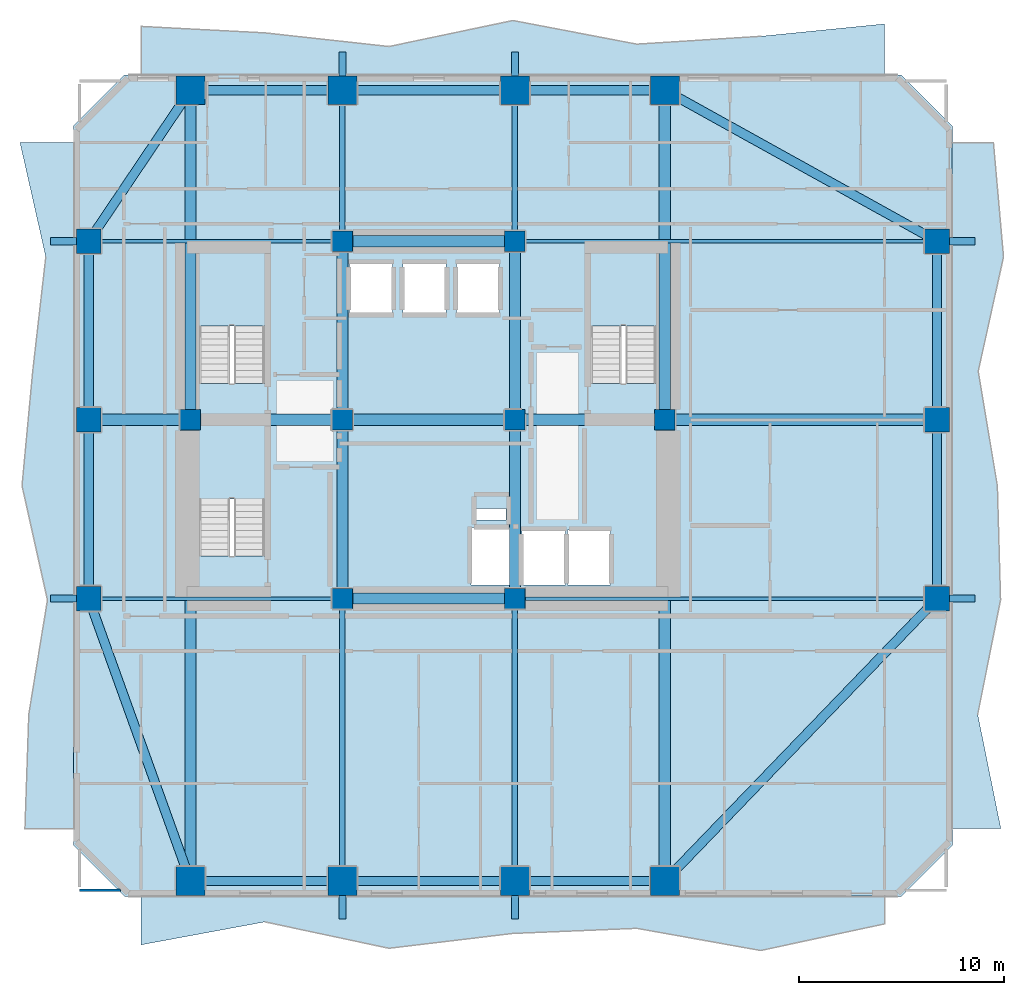
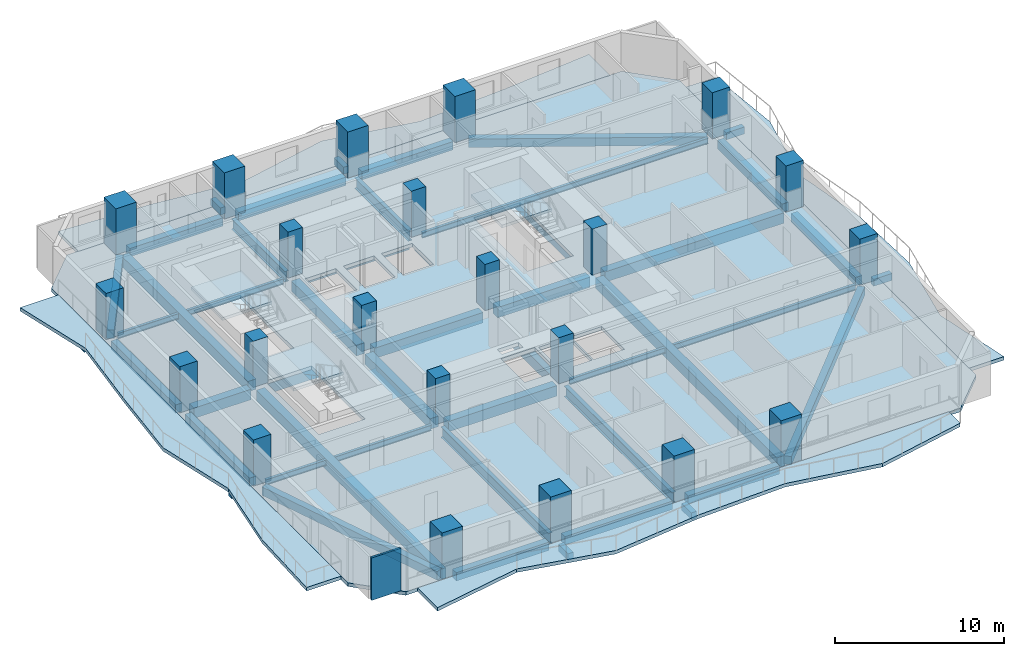
# One storey, part 1 of 10: 45 beams, 22 columns, 8 slabs, 1 wall, 3 elements without a shape of their own.
"""IFC4 building model written with IfcOpenShell, lengths in metres."""

from ifc_helpers import new_model, si_unit, direction, frame, frame_2d, origin, origin_2d, place, context, subcontext, project, spatial, polyline, rectangle, i_section, outline, extrude, material, layer, layer_set, material_profile, profile_set, type_object, element, aggregate, save


model = new_model("IFC4")

# Units and contexts
model_context = context("Model", 3, precision=1e-05, world=origin(), true_north=direction((0.0, 1.0)))
body_context = subcontext(model_context, "Body", "Model", "MODEL_VIEW")
ifc_project = project(units=[si_unit("LENGTHUNIT", "METRE"), si_unit("AREAUNIT", "SQUARE_METRE"), si_unit("VOLUMEUNIT", "CUBIC_METRE"), si_unit("PLANEANGLEUNIT", "RADIAN"), si_unit("MASSUNIT", "GRAM", prefix="KILO")], contexts=[model_context])

# Site, building, storey
site_placement = place(None, origin())
site = spatial("IfcSite", under=ifc_project, at=site_placement, CompositionType="ELEMENT")
building_placement = place(site_placement, origin())
building = spatial("IfcBuilding", under=site, at=building_placement, Name="Solanera Arch Residences", CompositionType="ELEMENT")
storey_placement = place(building_placement, frame((0.0, 0.0, 45.239990234375)))
storey = spatial("IfcBuildingStorey", under=building, at=storey_placement, Name="L12", CompositionType="ELEMENT", Elevation=45.239990234375)

# Columns
ifc_material_1 = material(Name="Concrete C55/67 (f'c = 60 MPa)", Category="concrete")
ifc_material_profile_1 = material_profile(ifc_material_1, rectangle(XDim=1.0, YDim=1.0, at=origin_2d()))
ifc_profile_set_1 = profile_set([ifc_material_profile_1], Name="Concrete C55/67 (f'c = 60 MPa)")
column_type_1 = type_object("IfcColumnType", Name="Structural Column RC-COL-1000X1000", PredefinedType="COLUMN", material=ifc_profile_set_1)
for number, where, z_axis, x_axis, name in (
    (1, (20.800048828125, 22.0, 0.0), (0.0, 0.0, 1.0), (1.0, 0.0, 0.0), "COL-L12-CB-SW"),
    (2, (29.199951171875, 22.0, 0.0), (0.0, 0.0, 1.0), (1.0, 0.0, 0.0), "COL-L12-CB-SE"),
    (3, (20.800048828125, 39.39990234375, 0.0), (0.0, 0.0, 1.0), (1.0, 0.0, 0.0), "COL-L12-CB-NW"),
    (4, (29.199951171875, 39.39990234375, 0.0), (0.0, 0.0, 1.0), (1.0, 0.0, 0.0), "COL-L12-CB-NE"),
    (5, (13.39990234375, 30.699951171875, 0.0), (0.0, 0.0, 1.0), (1.0, 0.0, 0.0), "COL-L12-CB-WW"),
    (6, (36.5, 30.699951171875, 0.0), (0.0, 0.0, 1.0), (1.0, 0.0, 0.0), "COL-L12-CB-EE"),
    (7, (20.800048828125, 30.699951171875, 0.0), (0.0, 0.0, 1.0), (1.0, 0.0, 0.0), "COL-L12-CORE-W"),
    (8, (29.199951171875, 30.699951171875, 0.0), (0.0, 0.0, 1.0), (1.0, 0.0, 0.0), "COL-L12-CORE-E"),
):
    element("IfcColumn", number, at=place(storey_placement, frame(where, z_axis=z_axis, x_axis=x_axis)), inside=storey, type_object=column_type_1, Name=name, PredefinedType="COLUMN", context=body_context, shape_type="SweptSolid", body=[
        extrude(rectangle(XDim=1.0, YDim=1.0, at=origin_2d()), origin(), (0.0, 0.0, 1.0), 3.320068359375),
    ])
ifc_material_2 = material(Name="Concrete C55/67 (f'c = 60 MPa)", Category="concrete")
ifc_material_profile_2 = material_profile(ifc_material_2, rectangle(XDim=1.199951171875, YDim=1.199951171875, at=origin_2d()))
ifc_profile_set_2 = profile_set([ifc_material_profile_2], Name="Concrete C55/67 (f'c = 60 MPa)")
column_type_2 = type_object("IfcColumnType", Name="Structural Column RC-COL-1200X1200", PredefinedType="COLUMN", material=ifc_profile_set_2)
for number, where, z_axis, x_axis, name in (
    (9, (8.449951171875, 22.0, 0.0), (0.0, 0.0, 1.0), (1.0, 0.0, 0.0), "COL-L12-TWR-09"),
    (10, (49.75, 22.0, 0.0), (0.0, 0.0, 1.0), (1.0, 0.0, 0.0), "COL-L12-TWR-10"),
    (11, (8.449951171875, 30.699951171875, 0.0), (0.0, 0.0, 1.0), (1.0, 0.0, 0.0), "COL-L12-TWR-11"),
    (12, (49.75, 30.699951171875, 0.0), (0.0, 0.0, 1.0), (1.0, 0.0, 0.0), "COL-L12-TWR-12"),
    (13, (8.449951171875, 39.39990234375, 0.0), (0.0, 0.0, 1.0), (1.0, 0.0, 0.0), "COL-L12-TWR-13"),
    (14, (49.75, 39.39990234375, 0.0), (0.0, 0.0, 1.0), (1.0, 0.0, 0.0), "COL-L12-TWR-14"),
):
    element("IfcColumn", number, at=place(storey_placement, frame(where, z_axis=z_axis, x_axis=x_axis)), inside=storey, type_object=column_type_2, Name=name, PredefinedType="COLUMN", context=body_context, shape_type="SweptSolid", body=[
        extrude(rectangle(XDim=1.199951171875, YDim=1.199951171875, at=origin_2d()), origin(), (0.0, 0.0, 1.0), 3.320068359375),
    ])
ifc_material_3 = material(Name="Concrete C55/67 (f'c = 60 MPa)", Category="concrete")
ifc_material_profile_3 = material_profile(ifc_material_3, rectangle(XDim=1.39990234375, YDim=1.39990234375, at=origin_2d()))
ifc_profile_set_3 = profile_set([ifc_material_profile_3], Name="Concrete C55/67 (f'c = 60 MPa)")
column_type_3 = type_object("IfcColumnType", Name="Structural Column RC-COL-1400X1400", PredefinedType="COLUMN", material=ifc_profile_set_3)
for number, where, z_axis, x_axis, name in (
    (15, (13.39990234375, 8.25, 0.0), (0.0, 0.0, 1.0), (1.0, 0.0, 0.0), "COL-L12-TWR-01"),
    (16, (13.39990234375, 46.75, 0.0), (0.0, 0.0, 1.0), (1.0, 0.0, 0.0), "COL-L12-TWR-02"),
    (17, (20.800048828125, 8.25, 0.0), (0.0, 0.0, 1.0), (1.0, 0.0, 0.0), "COL-L12-TWR-03"),
    (18, (20.800048828125, 46.75, 0.0), (0.0, 0.0, 1.0), (1.0, 0.0, 0.0), "COL-L12-TWR-04"),
    (19, (29.199951171875, 8.25, 0.0), (0.0, 0.0, 1.0), (1.0, 0.0, 0.0), "COL-L12-TWR-05"),
    (20, (29.199951171875, 46.75, 0.0), (0.0, 0.0, 1.0), (1.0, 0.0, 0.0), "COL-L12-TWR-06"),
    (21, (36.5, 8.25, 0.0), (0.0, 0.0, 1.0), (1.0, 0.0, 0.0), "COL-L12-TWR-07"),
    (22, (36.5, 46.75, 0.0), (0.0, 0.0, 1.0), (1.0, 0.0, 0.0), "COL-L12-TWR-08"),
):
    element("IfcColumn", number, at=place(storey_placement, frame(where, z_axis=z_axis, x_axis=x_axis)), inside=storey, type_object=column_type_3, Name=name, PredefinedType="COLUMN", context=body_context, shape_type="SweptSolid", body=[
        extrude(rectangle(XDim=1.39990234375, YDim=1.39990234375, at=origin_2d()), origin(), (0.0, 0.0, 1.0), 3.320068359375),
    ])

# Beams
ifc_material_4 = material(Name="Concrete C40/50 (f'c = 45 MPa)", Category="concrete")
ifc_material_profile_4 = material_profile(ifc_material_4, rectangle(XDim=0.35009765625, YDim=0.5, at=origin_2d()))
ifc_profile_set_4 = profile_set([ifc_material_profile_4], Name="Concrete C40/50 (f'c = 45 MPa)")
beam_type_1 = type_object("IfcBeamType", Name="BM-BALC-RIB", PredefinedType="BEAM", material=ifc_profile_set_4)
for number, where, z_axis, x_axis, name in (
    (23, (20.800048828125, 6.39990234375, -0.5), (0.0, 1.0, 0.0), (-1.0, 0.0, 0.0), "BM-L12-BRIB-S1"),
    (24, (29.199951171875, 6.39990234375, -0.5), (0.0, 1.0, 0.0), (-1.0, 0.0, 0.0), "BM-L12-BRIB-S2"),
    (25, (20.800048828125, 47.449951171875, -0.5), (0.0, 1.0, 0.0), (-1.0, 0.0, 0.0), "BM-L12-BRIB-N1"),
    (26, (29.199951171875, 47.449951171875, -0.5), (0.0, 1.0, 0.0), (-1.0, 0.0, 0.0), "BM-L12-BRIB-N2"),
):
    element("IfcBeam", number, at=place(storey_placement, frame(where, z_axis=z_axis, x_axis=x_axis)), inside=storey, type_object=beam_type_1, Name=name, PredefinedType="BEAM", context=body_context, shape_type="SweptSolid", body=[
        extrude(rectangle(XDim=0.35009765625, YDim=0.5, at=origin_2d()), origin(), (0.0, 0.0, 1.0), 1.150146484375),
    ])
for number, where, z_axis, x_axis, name in (
    (27, (50.35009765625, 22.0, -0.5), (1.0, 0.0, 0.0), (0.0, 1.0, 0.0), "BM-L12-BRIB-E1"),
    (28, (50.35009765625, 39.39990234375, -0.5), (1.0, 0.0, 0.0), (0.0, 1.0, 0.0), "BM-L12-BRIB-E2"),
    (29, (6.60009765625, 22.0, -0.5), (1.0, 0.0, 0.0), (0.0, 1.0, 0.0), "BM-L12-BRIB-W1"),
    (30, (6.60009765625, 39.39990234375, -0.5), (1.0, 0.0, 0.0), (0.0, 1.0, 0.0), "BM-L12-BRIB-W2"),
):
    element("IfcBeam", number, at=place(storey_placement, frame(where, z_axis=z_axis, x_axis=x_axis)), inside=storey, type_object=beam_type_1, Name=name, PredefinedType="BEAM", context=body_context, shape_type="SweptSolid", body=[
        extrude(rectangle(XDim=0.35009765625, YDim=0.5, at=origin_2d()), origin(), (0.0, 0.0, 1.0), 1.25),
    ])
ifc_material_5 = material(Name="Concrete C40/50 (f'c = 45 MPa)", Category="concrete")
ifc_material_profile_5 = material_profile(ifc_material_5, rectangle(XDim=0.550048828125, YDim=0.75, at=origin_2d()))
ifc_profile_set_5 = profile_set([ifc_material_profile_5], Name="Concrete C40/50 (f'c = 45 MPa)")
beam_type_2 = type_object("IfcBeamType", Name="Primary Beam RC-BM-550X750", PredefinedType="BEAM", material=ifc_profile_set_5)
beam_1_placement = place(storey_placement, frame((20.800048828125, 22.50390625, -0.635009765625), z_axis=(0.0, 1.0, 0.0), x_axis=(-1.0, 0.0, 0.0)))
element("IfcBeam", 31, at=beam_1_placement, inside=storey, type_object=beam_type_2, Name="BM-L12-CC-S-208", PredefinedType="BEAM", context=body_context, shape_type="SweptSolid", body=[
    extrude(rectangle(XDim=0.550048828125, YDim=0.75, at=origin_2d()), origin(), (0.0, 0.0, 1.0), 7.692138671875),
])
beam_2_placement = place(storey_placement, frame((20.800048828125, 31.2041015625, -0.635009765625), z_axis=(0.0, 1.0, 0.0), x_axis=(-1.0, 0.0, 0.0)))
element("IfcBeam", 32, at=beam_2_placement, inside=storey, type_object=beam_type_2, Name="BM-L12-CC-N-208", PredefinedType="BEAM", context=body_context, shape_type="SweptSolid", body=[
    extrude(rectangle(XDim=0.550048828125, YDim=0.75, at=origin_2d()), origin(), (0.0, 0.0, 1.0), 7.69189453125),
])
beam_3_placement = place(storey_placement, frame((29.199951171875, 22.50390625, -0.635009765625), z_axis=(0.0, 1.0, 0.0), x_axis=(-1.0, 0.0, 0.0)))
element("IfcBeam", 33, at=beam_3_placement, inside=storey, type_object=beam_type_2, Name="BM-L12-CC-S-292", PredefinedType="BEAM", context=body_context, shape_type="SweptSolid", body=[
    extrude(rectangle(XDim=0.550048828125, YDim=0.75, at=origin_2d()), origin(), (0.0, 0.0, 1.0), 7.692138671875),
])
beam_4_placement = place(storey_placement, frame((29.199951171875, 31.2041015625, -0.635009765625), z_axis=(0.0, 1.0, 0.0), x_axis=(-1.0, 0.0, 0.0)))
element("IfcBeam", 34, at=beam_4_placement, inside=storey, type_object=beam_type_2, Name="BM-L12-CC-N-292", PredefinedType="BEAM", context=body_context, shape_type="SweptSolid", body=[
    extrude(rectangle(XDim=0.550048828125, YDim=0.75, at=origin_2d()), origin(), (0.0, 0.0, 1.0), 7.69189453125),
])
for number, where, z_axis, x_axis, name in (
    (35, (21.303955078125, 22.0, -0.635009765625), (1.0, 0.0, 0.0), (0.0, 1.0, 0.0), "BM-L12-CC-M-220"),
    (36, (21.303955078125, 30.699951171875, -0.635009765625), (1.0, 0.0, 0.0), (0.0, 1.0, 0.0), "BM-L12-CC-M-307"),
    (37, (21.303955078125, 39.39990234375, -0.635009765625), (1.0, 0.0, 0.0), (0.0, 1.0, 0.0), "BM-L12-CC-M-394"),
):
    element("IfcBeam", number, at=place(storey_placement, frame(where, z_axis=z_axis, x_axis=x_axis)), inside=storey, type_object=beam_type_2, Name=name, PredefinedType="BEAM", context=body_context, shape_type="SweptSolid", body=[
        extrude(rectangle(XDim=0.550048828125, YDim=0.75, at=origin_2d()), origin(), (0.0, 0.0, 1.0), 7.39208984375),
    ])
beam_5_placement = place(storey_placement, frame((13.904052734375, 30.699951171875, -0.635009765625), z_axis=(1.0, 0.0, 0.0), x_axis=(0.0, 1.0, 0.0)))
element("IfcBeam", 38, at=beam_5_placement, inside=storey, type_object=beam_type_2, Name="BM-L12-CC-W", PredefinedType="BEAM", context=body_context, shape_type="SweptSolid", body=[
    extrude(rectangle(XDim=0.550048828125, YDim=0.75, at=origin_2d()), origin(), (0.0, 0.0, 1.0), 6.391845703125),
])
beam_6_placement = place(storey_placement, frame((29.7041015625, 30.699951171875, -0.635009765625), z_axis=(1.0, 0.0, 0.0), x_axis=(0.0, 1.0, 0.0)))
element("IfcBeam", 39, at=beam_6_placement, inside=storey, type_object=beam_type_2, Name="BM-L12-CC-E", PredefinedType="BEAM", context=body_context, shape_type="SweptSolid", body=[
    extrude(rectangle(XDim=0.550048828125, YDim=0.75, at=origin_2d()), origin(), (0.0, 0.0, 1.0), 6.2919921875),
])
beam_7_placement = place(storey_placement, frame((13.39990234375, 8.7900390625, -0.635009765625), z_axis=(0.0, 1.0, 0.0), x_axis=(-1.0, 0.0, 0.0)))
element("IfcBeam", 40, at=beam_7_placement, inside=storey, type_object=beam_type_2, Name="BM-L12-RAD-OS-134", PredefinedType="BEAM", context=body_context, shape_type="SweptSolid", body=[
    extrude(rectangle(XDim=0.550048828125, YDim=0.75, at=origin_2d()), origin(), (0.0, 0.0, 1.0), 21.406005859375),
])
beam_8_placement = place(storey_placement, frame((13.39990234375, 31.2041015625, -0.635009765625), z_axis=(0.0, 1.0, 0.0), x_axis=(-1.0, 0.0, 0.0)))
element("IfcBeam", 41, at=beam_8_placement, inside=storey, type_object=beam_type_2, Name="BM-L12-RAD-ON-134", PredefinedType="BEAM", context=body_context, shape_type="SweptSolid", body=[
    extrude(rectangle(XDim=0.550048828125, YDim=0.75, at=origin_2d()), origin(), (0.0, 0.0, 1.0), 15.005859375),
])
beam_9_placement = place(storey_placement, frame((36.5, 8.7900390625, -0.635009765625), z_axis=(0.0, 1.0, 0.0), x_axis=(-1.0, 0.0, 0.0)))
element("IfcBeam", 42, at=beam_9_placement, inside=storey, type_object=beam_type_2, Name="BM-L12-RAD-OS-365", PredefinedType="BEAM", context=body_context, shape_type="SweptSolid", body=[
    extrude(rectangle(XDim=0.550048828125, YDim=0.75, at=origin_2d()), origin(), (0.0, 0.0, 1.0), 21.406005859375),
])
beam_10_placement = place(storey_placement, frame((36.5, 31.2041015625, -0.635009765625), z_axis=(0.0, 1.0, 0.0), x_axis=(-1.0, 0.0, 0.0)))
element("IfcBeam", 43, at=beam_10_placement, inside=storey, type_object=beam_type_2, Name="BM-L12-RAD-ON-365", PredefinedType="BEAM", context=body_context, shape_type="SweptSolid", body=[
    extrude(rectangle(XDim=0.550048828125, YDim=0.75, at=origin_2d()), origin(), (0.0, 0.0, 1.0), 15.005859375),
])
beam_11_placement = place(storey_placement, frame((8.989990234375, 30.699951171875, -0.635009765625), z_axis=(1.0, 0.0, 0.0), x_axis=(0.0, 1.0, 0.0)))
element("IfcBeam", 44, at=beam_11_placement, inside=storey, type_object=beam_type_2, Name="BM-L12-RAD-MW", PredefinedType="BEAM", context=body_context, shape_type="SweptSolid", body=[
    extrude(rectangle(XDim=0.550048828125, YDim=0.75, at=origin_2d()), origin(), (0.0, 0.0, 1.0), 3.906005859375),
])
beam_12_placement = place(storey_placement, frame((37.00390625, 30.699951171875, -0.635009765625), z_axis=(1.0, 0.0, 0.0), x_axis=(0.0, 1.0, 0.0)))
element("IfcBeam", 45, at=beam_12_placement, inside=storey, type_object=beam_type_2, Name="BM-L12-RAD-ME", PredefinedType="BEAM", context=body_context, shape_type="SweptSolid", body=[
    extrude(rectangle(XDim=0.550048828125, YDim=0.75, at=origin_2d()), origin(), (0.0, 0.0, 1.0), 12.2060546875),
])
ifc_material_6 = material(Name="Steel S355 (ASTM A992 / A572 Grade 50)", Category="steel")
ifc_material_profile_6 = material_profile(ifc_material_6, i_section(OverallWidth=0.26806640625, OverallDepth=0.77001953125, WebThickness=0.015625, FlangeThickness=0.025390625, at=origin_2d()))
ifc_profile_set_6 = profile_set([ifc_material_profile_6], Name="Steel S355 (ASTM A992 / A572 Grade 50)")
beam_type_3 = type_object("IfcBeamType", Name="Primary Beam W760X196", PredefinedType="BEAM", material=ifc_profile_set_6)
beam_13_placement = place(storey_placement, frame((20.800048828125, 8.7900390625, -0.64501953125), z_axis=(0.0, 1.0, 0.0), x_axis=(-1.0, 0.0, 0.0)))
element("IfcBeam", 46, at=beam_13_placement, inside=storey, type_object=beam_type_3, Name="BM-L12-RAD-S-208", PredefinedType="BEAM", context=body_context, shape_type="SweptSolid", body=[
    extrude(i_section(OverallWidth=0.26806640625, OverallDepth=0.77001953125, WebThickness=0.015625, FlangeThickness=0.025390625, at=origin_2d()), origin(), (0.0, 0.0, 1.0), 12.7060546875),
])
beam_14_placement = place(storey_placement, frame((20.800048828125, 39.904052734375, -0.64501953125), z_axis=(0.0, 1.0, 0.0), x_axis=(-1.0, 0.0, 0.0)))
element("IfcBeam", 47, at=beam_14_placement, inside=storey, type_object=beam_type_3, Name="BM-L12-RAD-N-208", PredefinedType="BEAM", context=body_context, shape_type="SweptSolid", body=[
    extrude(i_section(OverallWidth=0.26806640625, OverallDepth=0.77001953125, WebThickness=0.015625, FlangeThickness=0.025390625, at=origin_2d()), origin(), (0.0, 0.0, 1.0), 6.305908203125),
])
beam_15_placement = place(storey_placement, frame((29.199951171875, 8.7900390625, -0.64501953125), z_axis=(0.0, 1.0, 0.0), x_axis=(-1.0, 0.0, 0.0)))
element("IfcBeam", 48, at=beam_15_placement, inside=storey, type_object=beam_type_3, Name="BM-L12-RAD-S-292", PredefinedType="BEAM", context=body_context, shape_type="SweptSolid", body=[
    extrude(i_section(OverallWidth=0.26806640625, OverallDepth=0.77001953125, WebThickness=0.015625, FlangeThickness=0.025390625, at=origin_2d()), origin(), (0.0, 0.0, 1.0), 12.7060546875),
])
beam_16_placement = place(storey_placement, frame((29.199951171875, 39.904052734375, -0.64501953125), z_axis=(0.0, 1.0, 0.0), x_axis=(-1.0, 0.0, 0.0)))
element("IfcBeam", 49, at=beam_16_placement, inside=storey, type_object=beam_type_3, Name="BM-L12-RAD-N-292", PredefinedType="BEAM", context=body_context, shape_type="SweptSolid", body=[
    extrude(i_section(OverallWidth=0.26806640625, OverallDepth=0.77001953125, WebThickness=0.015625, FlangeThickness=0.025390625, at=origin_2d()), origin(), (0.0, 0.0, 1.0), 6.305908203125),
])
ifc_material_7 = material(Name="Steel S355 (ASTM A992 / A572 Grade 50)", Category="steel")
ifc_material_profile_7 = material_profile(ifc_material_7, i_section(OverallWidth=0.178955078125, OverallDepth=0.409912109375, WebThickness=0.0087890625, FlangeThickness=0.014404296875, at=origin_2d()))
ifc_profile_set_7 = profile_set([ifc_material_profile_7], Name="Steel S355 (ASTM A992 / A572 Grade 50)")
beam_type_4 = type_object("IfcBeamType", Name="Secondary Joist W410X67", PredefinedType="JOIST", material=ifc_profile_set_7)
beam_17_placement = place(storey_placement, frame((8.989990234375, 22.0, -0.465087890625), z_axis=(1.0, 0.0, 0.0), x_axis=(0.0, 1.0, 0.0)))
element("IfcBeam", 50, at=beam_17_placement, inside=storey, type_object=beam_type_4, Name="BM-L12-RAD-W-220", PredefinedType="JOIST", context=body_context, shape_type="SweptSolid", body=[
    extrude(i_section(OverallWidth=0.178955078125, OverallDepth=0.409912109375, WebThickness=0.0087890625, FlangeThickness=0.014404296875, at=origin_2d()), origin(), (0.0, 0.0, 1.0), 11.305908203125),
])
beam_18_placement = place(storey_placement, frame((29.7041015625, 22.0, -0.465087890625), z_axis=(1.0, 0.0, 0.0), x_axis=(0.0, 1.0, 0.0)))
element("IfcBeam", 51, at=beam_18_placement, inside=storey, type_object=beam_type_4, Name="BM-L12-RAD-E-220", PredefinedType="JOIST", context=body_context, shape_type="SweptSolid", body=[
    extrude(i_section(OverallWidth=0.178955078125, OverallDepth=0.409912109375, WebThickness=0.0087890625, FlangeThickness=0.014404296875, at=origin_2d()), origin(), (0.0, 0.0, 1.0), 19.505859375),
])
beam_19_placement = place(storey_placement, frame((8.989990234375, 39.39990234375, -0.465087890625), z_axis=(1.0, 0.0, 0.0), x_axis=(0.0, 1.0, 0.0)))
element("IfcBeam", 52, at=beam_19_placement, inside=storey, type_object=beam_type_4, Name="BM-L12-RAD-W-394", PredefinedType="JOIST", context=body_context, shape_type="SweptSolid", body=[
    extrude(i_section(OverallWidth=0.178955078125, OverallDepth=0.409912109375, WebThickness=0.0087890625, FlangeThickness=0.014404296875, at=origin_2d()), origin(), (0.0, 0.0, 1.0), 11.305908203125),
])
beam_20_placement = place(storey_placement, frame((29.7041015625, 39.39990234375, -0.465087890625), z_axis=(1.0, 0.0, 0.0), x_axis=(0.0, 1.0, 0.0)))
element("IfcBeam", 53, at=beam_20_placement, inside=storey, type_object=beam_type_4, Name="BM-L12-RAD-E-394", PredefinedType="JOIST", context=body_context, shape_type="SweptSolid", body=[
    extrude(i_section(OverallWidth=0.178955078125, OverallDepth=0.409912109375, WebThickness=0.0087890625, FlangeThickness=0.014404296875, at=origin_2d()), origin(), (0.0, 0.0, 1.0), 19.505859375),
])
ifc_material_8 = material(Name="Concrete C40/50 (f'c = 45 MPa)", Category="concrete")
ifc_material_profile_8 = material_profile(ifc_material_8, rectangle(XDim=0.449951171875, YDim=0.60009765625, at=origin_2d()))
ifc_profile_set_8 = profile_set([ifc_material_profile_8], Name="Concrete C40/50 (f'c = 45 MPa)")
beam_type_5 = type_object("IfcBeamType", Name="Spandrel Beam RC-BM-450X600", PredefinedType="SPANDREL", material=ifc_profile_set_8)
for number, where, z_axis, x_axis, name in (
    (54, (13.93994140625, 8.25, -0.56005859375), (1.0, 0.0, 0.0), (0.0, 1.0, 0.0), "BM-L12-SPN-S-1"),
    (55, (13.93994140625, 46.75, -0.56005859375), (1.0, 0.0, 0.0), (0.0, 1.0, 0.0), "BM-L12-SPN-N-1"),
):
    element("IfcBeam", number, at=place(storey_placement, frame(where, z_axis=z_axis, x_axis=x_axis)), inside=storey, type_object=beam_type_5, Name=name, PredefinedType="SPANDREL", context=body_context, shape_type="SweptSolid", body=[
        extrude(rectangle(XDim=0.449951171875, YDim=0.60009765625, at=origin_2d()), origin(), (0.0, 0.0, 1.0), 6.320068359375),
    ])
for number, where, z_axis, x_axis, name in (
    (56, (21.340087890625, 8.25, -0.56005859375), (1.0, 0.0, 0.0), (0.0, 1.0, 0.0), "BM-L12-SPN-S-2"),
    (57, (21.340087890625, 46.75, -0.56005859375), (1.0, 0.0, 0.0), (0.0, 1.0, 0.0), "BM-L12-SPN-N-2"),
):
    element("IfcBeam", number, at=place(storey_placement, frame(where, z_axis=z_axis, x_axis=x_axis)), inside=storey, type_object=beam_type_5, Name=name, PredefinedType="SPANDREL", context=body_context, shape_type="SweptSolid", body=[
        extrude(rectangle(XDim=0.449951171875, YDim=0.60009765625, at=origin_2d()), origin(), (0.0, 0.0, 1.0), 7.31982421875),
    ])
for number, where, z_axis, x_axis, name in (
    (58, (29.739990234375, 8.25, -0.56005859375), (1.0, 0.0, 0.0), (0.0, 1.0, 0.0), "BM-L12-SPN-S-3"),
    (59, (29.739990234375, 46.75, -0.56005859375), (1.0, 0.0, 0.0), (0.0, 1.0, 0.0), "BM-L12-SPN-N-3"),
):
    element("IfcBeam", number, at=place(storey_placement, frame(where, z_axis=z_axis, x_axis=x_axis)), inside=storey, type_object=beam_type_5, Name=name, PredefinedType="SPANDREL", context=body_context, shape_type="SweptSolid", body=[
        extrude(rectangle(XDim=0.449951171875, YDim=0.60009765625, at=origin_2d()), origin(), (0.0, 0.0, 1.0), 6.219970703125),
    ])
for number, where, z_axis, x_axis, name in (
    (60, (8.449951171875, 22.5400390625, -0.56005859375), (0.0, 1.0, 0.0), (-1.0, 0.0, 0.0), "BM-L12-SPN-W-1"),
    (61, (49.75, 22.5400390625, -0.56005859375), (0.0, 1.0, 0.0), (-1.0, 0.0, 0.0), "BM-L12-SPN-E-1"),
):
    element("IfcBeam", number, at=place(storey_placement, frame(where, z_axis=z_axis, x_axis=x_axis)), inside=storey, type_object=beam_type_5, Name=name, PredefinedType="SPANDREL", context=body_context, shape_type="SweptSolid", body=[
        extrude(rectangle(XDim=0.449951171875, YDim=0.60009765625, at=origin_2d()), origin(), (0.0, 0.0, 1.0), 7.619873046875),
    ])
for number, where, z_axis, x_axis, name in (
    (62, (8.449951171875, 31.239990234375, -0.56005859375), (0.0, 1.0, 0.0), (-1.0, 0.0, 0.0), "BM-L12-SPN-W-2"),
    (63, (49.75, 31.239990234375, -0.56005859375), (0.0, 1.0, 0.0), (-1.0, 0.0, 0.0), "BM-L12-SPN-E-2"),
):
    element("IfcBeam", number, at=place(storey_placement, frame(where, z_axis=z_axis, x_axis=x_axis)), inside=storey, type_object=beam_type_5, Name=name, PredefinedType="SPANDREL", context=body_context, shape_type="SweptSolid", body=[
        extrude(rectangle(XDim=0.449951171875, YDim=0.60009765625, at=origin_2d()), origin(), (0.0, 0.0, 1.0), 7.6201171875),
    ])
beam_21_placement = place(storey_placement, frame((13.217041015625, 8.758056640625, -0.56005859375), z_axis=(-0.338705414976, 0.940892470937, 0.0), x_axis=(-0.940892470937, -0.338705414976, 0.0)))
element("IfcBeam", 64, at=beam_21_placement, inside=storey, type_object=beam_type_5, Name="BM-L12-SPN-SW", PredefinedType="SPANDREL", context=body_context, shape_type="SweptSolid", body=[
    extrude(rectangle(XDim=0.449951171875, YDim=0.60009765625, at=origin_2d()), origin(), (0.0, 0.0, 1.0), 13.533935546875),
])
beam_22_placement = place(storey_placement, frame((13.097900390625, 46.302001953125, -0.56005859375), z_axis=(-0.558539143669, -0.829478164263, 0.0), x_axis=(0.829478164263, -0.558539143669, 0.0)))
element("IfcBeam", 65, at=beam_22_placement, inside=storey, type_object=beam_type_5, Name="BM-L12-SPN-NW", PredefinedType="SPANDREL", context=body_context, shape_type="SweptSolid", body=[
    extrude(rectangle(XDim=0.449951171875, YDim=0.60009765625, at=origin_2d()), origin(), (0.0, 0.0, 1.0), 7.781005859375),
])
beam_23_placement = place(storey_placement, frame((36.875, 8.638916015625, -0.56005859375), z_axis=(0.69388020893, 0.720090449635, 0.0), x_axis=(-0.720090449635, 0.69388020893, 0.0)))
element("IfcBeam", 66, at=beam_23_placement, inside=storey, type_object=beam_type_5, Name="BM-L12-SPN-SE", PredefinedType="SPANDREL", context=body_context, shape_type="SweptSolid", body=[
    extrude(rectangle(XDim=0.449951171875, YDim=0.60009765625, at=origin_2d()), origin(), (0.0, 0.0, 1.0), 18.0146484375),
])
beam_24_placement = place(storey_placement, frame((36.971923828125, 46.488037109375, -0.56005859375), z_axis=(0.874483596047, -0.485055089907, 0.0), x_axis=(0.485055089907, 0.874483596047, 0.0)))
element("IfcBeam", 67, at=beam_24_placement, inside=storey, type_object=beam_type_5, Name="BM-L12-SPN-NE", PredefinedType="SPANDREL", context=body_context, shape_type="SweptSolid", body=[
    extrude(rectangle(XDim=0.449951171875, YDim=0.60009765625, at=origin_2d()), origin(), (0.0, 0.0, 1.0), 14.072509765625),
])

# Slabs
ifc_material_9 = material(Name="Concrete C40/50 (f'c = 45 MPa)", Category="concrete")
ifc_layer_1 = layer(ifc_material_9, 0.25)
ifc_layer_set_1 = layer_set([ifc_layer_1], Name="Concrete C40/50 (f'c = 45 MPa)")
slab_type_1 = type_object("IfcSlabType", Name="Balcony Slab 250", PredefinedType="FLOOR", material=ifc_layer_set_1)
slab_1_placement = place(storey_placement, frame((0.0, 0.0, -0.25)))
element("IfcSlab", 68, at=slab_1_placement, inside=storey, type_object=slab_type_1, Name="L12 S Rippling Brise-Soleil Balcony Slab", PredefinedType="FLOOR", context=body_context, shape_type="SweptSolid", body=[
    extrude(outline(polyline([(11.0, 5.14306640625), (17.032958984375, 6.260009765625), (23.06689453125, 4.97509765625), (29.10009765625, 5.698974609375), (35.133056640625, 5.947021484375), (41.1669921875, 4.867919921875), (47.199951171875, 6.1650390625), (47.199951171875, 7.52001953125), (11.0, 7.52001953125), (11.0, 5.14306640625)])), origin(), (0.0, 0.0, 1.0), 0.25),
])
slab_2_placement = place(storey_placement, frame((0.0, 0.0, -0.25)))
element("IfcSlab", 69, at=slab_2_placement, inside=storey, type_object=slab_type_1, Name="L12 N Rippling Brise-Soleil Balcony Slab", PredefinedType="FLOOR", context=body_context, shape_type="SweptSolid", body=[
    extrude(outline(polyline([(47.199951171875, 49.97998046875), (41.1669921875, 49.375), (35.133056640625, 48.992919921875), (29.10009765625, 50.14501953125), (23.06689453125, 48.876953125), (17.032958984375, 49.5419921875), (11.0, 49.85693359375), (11.0, 47.47998046875), (47.199951171875, 47.47998046875), (47.199951171875, 49.97998046875)])), origin(), (0.0, 0.0, 1.0), 0.25),
])
slab_3_placement = place(storey_placement, frame((0.0, 0.0, -0.25)))
element("IfcSlab", 70, at=slab_3_placement, inside=storey, type_object=slab_type_1, Name="L12 E Rippling Brise-Soleil Balcony Slab", PredefinedType="FLOOR", context=body_context, shape_type="SweptSolid", body=[
    extrude(outline(polyline([(52.85693359375, 10.800048828125), (51.72998046875, 16.366943359375), (52.842041015625, 21.93310546875), (52.68603515625, 27.5), (51.75390625, 33.06689453125), (52.986083984375, 38.633056640625), (52.49609375, 44.199951171875), (50.47998046875, 44.199951171875), (50.47998046875, 10.800048828125), (52.85693359375, 10.800048828125)])), origin(), (0.0, 0.0, 1.0), 0.25),
])
slab_4_placement = place(storey_placement, frame((0.0, 0.0, -0.25)))
element("IfcSlab", 71, at=slab_4_placement, inside=storey, type_object=slab_type_1, Name="L12 W Rippling Brise-Soleil Balcony Slab", PredefinedType="FLOOR", context=body_context, shape_type="SweptSolid", body=[
    extrude(outline(polyline([(5.10400390625, 44.199951171875), (6.360107421875, 38.633056640625), (5.722900390625, 33.06689453125), (5.201904296875, 27.5), (6.44091796875, 21.93310546875), (5.531982421875, 16.366943359375), (5.343017578125, 10.800048828125), (7.719970703125, 10.800048828125), (7.719970703125, 44.199951171875), (5.10400390625, 44.199951171875)])), origin(), (0.0, 0.0, 1.0), 0.25),
])

# Stair, slab
ifc_material_10 = material(Name="Concrete C40/50 (f'c = 45 MPa)", Category="concrete")
stair_type = type_object("IfcStairType", Name="Tower Dogleg Exit Stair 1480", PredefinedType="HALF_TURN_STAIR", material=ifc_material_10)
stair_1_placement = place(storey_placement, origin())
stair_1 = element("IfcStair", 72, at=stair_1_placement, inside=storey, type_object=stair_type, Name="L12 Tower Core Exit Stair 1", PredefinedType="HALF_TURN_STAIR")
ifc_material_11 = material(Name="Concrete C40/50 (f'c = 45 MPa)", Category="concrete")
ifc_layer_2 = layer(ifc_material_11, 0.199951171875)
ifc_layer_set_2 = layer_set([ifc_layer_2], Name="Concrete C40/50 (f'c = 45 MPa)")
slab_type_2 = type_object("IfcSlabType", Name="Stair Half-Landing Slab 200", PredefinedType="LANDING", material=ifc_layer_set_2)
slab_5_placement = place(storey_placement, frame((0.0, 0.0, 1.4599609375)))
slab_5 = element("IfcSlab", 73, at=slab_5_placement, type_object=slab_type_2, Name="ST-T1 landing 1", PredefinedType="LANDING", context=body_context, shape_type="SweptSolid", body=[
    extrude(outline(polyline([(17.1201171875, 35.260009765625), (17.1201171875, 38.919921875), (13.719970703125, 38.919921875), (13.719970703125, 35.260009765625), (17.1201171875, 35.260009765625)])), origin(), (0.0, 0.0, 1.0), 0.199951171875),
])
aggregate(stair_1, [slab_5])

stair_2_placement = place(storey_placement, origin())
stair_2 = element("IfcStair", 74, at=stair_2_placement, inside=storey, type_object=stair_type, Name="L12 Tower Core Exit Stair 2", PredefinedType="HALF_TURN_STAIR")
slab_6_placement = place(storey_placement, frame((0.0, 0.0, 1.4599609375)))
slab_6 = element("IfcSlab", 75, at=slab_6_placement, type_object=slab_type_2, Name="ST-T2 landing 1", PredefinedType="LANDING", context=body_context, shape_type="SweptSolid", body=[
    extrude(outline(polyline([(36.179931640625, 35.260009765625), (36.179931640625, 38.919921875), (32.780029296875, 38.919921875), (32.780029296875, 35.260009765625), (36.179931640625, 35.260009765625)])), origin(), (0.0, 0.0, 1.0), 0.199951171875),
])
aggregate(stair_2, [slab_6])

stair_3_placement = place(storey_placement, origin())
stair_3 = element("IfcStair", 76, at=stair_3_placement, inside=storey, type_object=stair_type, Name="L12 Tower Core Exit Stair 3", PredefinedType="HALF_TURN_STAIR")
slab_7_placement = place(storey_placement, frame((0.0, 0.0, 1.4599609375)))
slab_7 = element("IfcSlab", 77, at=slab_7_placement, type_object=slab_type_2, Name="ST-T3 landing 1", PredefinedType="LANDING", context=body_context, shape_type="SweptSolid", body=[
    extrude(outline(polyline([(17.1201171875, 26.860107421875), (17.1201171875, 30.52001953125), (13.719970703125, 30.52001953125), (13.719970703125, 26.860107421875), (17.1201171875, 26.860107421875)])), origin(), (0.0, 0.0, 1.0), 0.199951171875),
])
aggregate(stair_3, [slab_7])

# Slab
ifc_material_12 = material(Name="Concrete C40/50 (f'c = 45 MPa)", Category="concrete")
ifc_layer_3 = layer(ifc_material_12, 0.260009765625)
ifc_layer_set_3 = layer_set([ifc_layer_3], Name="Concrete C40/50 (f'c = 45 MPa)")
slab_type_3 = type_object("IfcSlabType", Name="Suspended Floor Slab Post-Tensioned 260", PredefinedType="FLOOR", material=ifc_layer_set_3)
slab_8_placement = place(storey_placement, frame((0.0, 0.0, -0.260009765625)))
element("IfcSlab", 78, at=slab_8_placement, inside=storey, type_object=slab_type_3, Name="L12 Tower Post-Tensioned Floor Slab", PredefinedType="FLOOR", context=body_context, shape_type="SweptSolid", body=[
    extrude(outline(polyline([(10.199951171875, 7.5), (48.0, 7.5), (50.5, 10.0), (50.5, 45.0), (48.0, 47.5), (10.199951171875, 47.5), (7.699951171875, 45.0), (7.699951171875, 10.0), (10.199951171875, 7.5)]), holes=[polyline([(13.840087890625, 32.48291015625), (13.840087890625, 38.800048828125), (17.0, 38.800048828125), (17.0, 32.48291015625), (13.840087890625, 32.48291015625)]), polyline([(32.89990234375, 32.48291015625), (32.89990234375, 38.800048828125), (36.06005859375, 38.800048828125), (36.06005859375, 32.48291015625), (32.89990234375, 32.48291015625)]), polyline([(13.840087890625, 24.0830078125), (13.840087890625, 30.39990234375), (17.0, 30.39990234375), (17.0, 24.0830078125), (13.840087890625, 24.0830078125)]), polyline([(21.14990234375, 38.35009765625), (23.25, 38.35009765625), (23.25, 35.85009765625), (21.14990234375, 35.85009765625), (21.14990234375, 38.35009765625)]), polyline([(23.75, 38.35009765625), (25.85009765625, 38.35009765625), (25.85009765625, 35.85009765625), (23.75, 35.85009765625), (23.75, 38.35009765625)]), polyline([(26.35009765625, 38.35009765625), (28.449951171875, 38.35009765625), (28.449951171875, 35.85009765625), (26.35009765625, 35.85009765625), (26.35009765625, 38.35009765625)]), polyline([(29.550048828125, 25.35009765625), (31.64990234375, 25.35009765625), (31.64990234375, 22.64990234375), (29.550048828125, 22.64990234375), (29.550048828125, 25.35009765625)]), polyline([(31.75, 25.35009765625), (33.85009765625, 25.35009765625), (33.85009765625, 22.64990234375), (31.75, 22.64990234375), (31.75, 25.35009765625)]), polyline([(27.050048828125, 25.449951171875), (29.35009765625, 25.449951171875), (29.35009765625, 22.64990234375), (27.050048828125, 22.64990234375), (27.050048828125, 25.449951171875)]), polyline([(27.340087890625, 26.3798828125), (28.760009765625, 26.3798828125), (28.760009765625, 25.820068359375), (27.340087890625, 25.820068359375), (27.340087890625, 26.3798828125)])]), origin(), (0.0, 0.0, 1.0), 0.260009765625),
])

# Wall
ifc_material_13 = material(Name="Autoclaved Aerated Concrete Blockwork", Category="masonry")
ifc_layer_4 = layer(ifc_material_13, 0.139892578125)
ifc_layer_set_4 = layer_set([ifc_layer_4], Name="Autoclaved Aerated Concrete Blockwork")
wall_type = type_object("IfcWallType", Name="Wet-Room Partition 140", PredefinedType="PARTITIONING", material=ifc_layer_set_4)
wall_placement = place(storey_placement, frame((8.0, 7.800048828125, 0.0), z_axis=(0.0, 0.0, 1.0), x_axis=(1.0, 0.0, 0.0)))
element("IfcWall", 79, at=wall_placement, inside=storey, type_object=wall_type, Name="L12 Interior Partition H14 1", PredefinedType="PARTITIONING", context=body_context, shape_type="SweptSolid", body=[
    extrude(rectangle(XDim=2.0009765625, YDim=0.139892578125, at=frame_2d((1.00048828125, 0.0))), origin(), (0.0, 0.0, 1.0), 3.06005859375),
])

save(model, "model.ifc")
